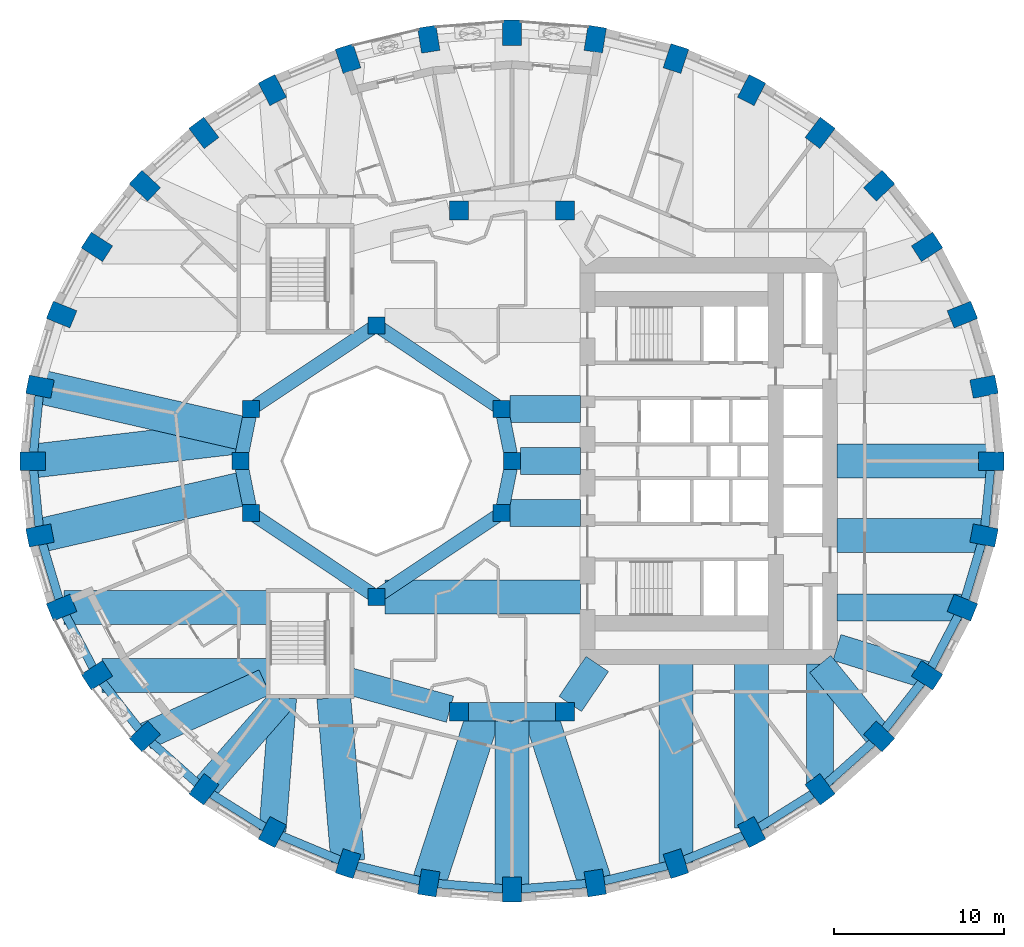
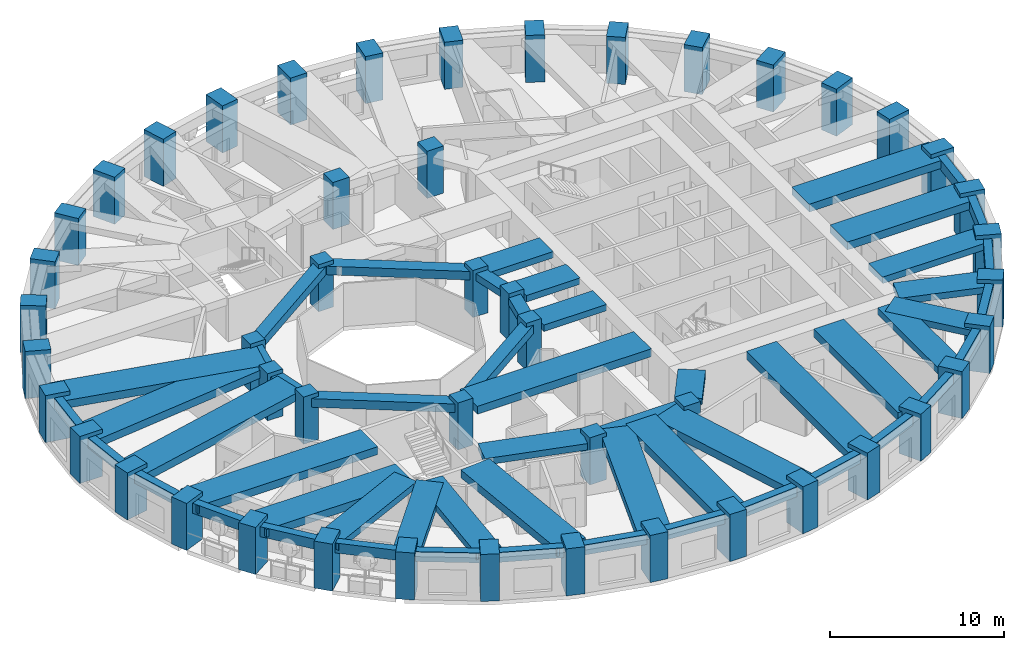
# One storey, part 1 of 13: 54 beams, 48 columns.
"""IFC4 building model written with IfcOpenShell, lengths in metres."""

from ifc_helpers import new_model, si_unit, direction, frame, origin, origin_2d, place, context, subcontext, project, spatial, rectangle, extrude, material, material_profile, profile_set, type_object, element, save


model = new_model("IFC4")

# Units and contexts
model_context = context("Model", 3, precision=1e-05, world=origin(), true_north=direction((0.0, 1.0)))
body_context = subcontext(model_context, "Body", "Model", "MODEL_VIEW")
ifc_project = project(units=[si_unit("LENGTHUNIT", "METRE"), si_unit("AREAUNIT", "SQUARE_METRE"), si_unit("VOLUMEUNIT", "CUBIC_METRE"), si_unit("PLANEANGLEUNIT", "RADIAN"), si_unit("MASSUNIT", "GRAM", prefix="KILO")], contexts=[model_context])

# Site, building, storey
site_placement = place(None, origin())
site = spatial("IfcSite", under=ifc_project, at=site_placement, CompositionType="ELEMENT")
building_placement = place(site_placement, origin())
building = spatial("IfcBuilding", under=site, at=building_placement, Name="Taillehof Tower", CompositionType="ELEMENT")
storey_placement = place(building_placement, frame((0.0, 0.0, 54.699951171875)))
storey = spatial("IfcBuildingStorey", under=building, at=storey_placement, Name="L14", CompositionType="ELEMENT", Elevation=54.699951171875)

# Columns
ifc_material_1 = material(Name="Concrete C50/60", Category="concrete")
ifc_material_profile_1 = material_profile(ifc_material_1, rectangle(XDim=1.0, YDim=1.0, at=origin_2d()), Name="RC 1000x1000")
ifc_profile_set_1 = profile_set([ifc_material_profile_1], Name="Concrete C50/60")
column_type_1 = type_object("IfcColumnType", Name="Atrium ring column C50/60 1000x1000", PredefinedType="COLUMN", material=ifc_profile_set_1)
for number, where, z_axis, x_axis, name in (
    (1, (0.0, 0.0, 0.0), (0.0, 0.0, 1.0), (1.0, 0.0, 0.0), "Column AC01"),
    (2, (-0.60888671875, 3.0615234375, 0.0), (0.0, 0.0, 1.0), (1.0, 0.0, 0.0), "Column AC02"),
    (3, (-8.0, 8.0, 0.0), (0.0, 0.0, 1.0), (1.0, 0.0, 0.0), "Column AC05"),
    (4, (-15.39111328125, 3.0615234375, 0.0), (0.0, 0.0, 1.0), (1.0, 0.0, 0.0), "Column AC08"),
    (5, (-16.0, 0.0, 0.0), (0.0, 0.0, 1.0), (1.0, 0.0, 0.0), "Column AC09"),
    (6, (-15.39111328125, -3.0615234375, 0.0), (0.0, 0.0, 1.0), (1.0, 0.0, 0.0), "Column AC10"),
    (7, (-8.0, -8.0, 0.0), (0.0, 0.0, 1.0), (1.0, 0.0, 0.0), "Column AC13"),
    (8, (-0.60888671875, -3.0615234375, 0.0), (0.0, 0.0, 1.0), (1.0, 0.0, 0.0), "Column AC16"),
):
    element("IfcColumn", number, at=place(storey_placement, frame(where, z_axis=z_axis, x_axis=x_axis)), inside=storey, type_object=column_type_1, Name=name, PredefinedType="COLUMN", context=body_context, shape_type="SweptSolid", body=[
        extrude(rectangle(XDim=1.0, YDim=1.0, at=origin_2d()), origin(), (0.0, 0.0, 1.0), 3.300048828125),
    ])
ifc_material_2 = material(Name="Concrete C60/75", Category="concrete")
ifc_material_profile_2 = material_profile(ifc_material_2, rectangle(XDim=1.10009765625, YDim=1.10009765625, at=origin_2d()), Name="RC 1100x1100")
ifc_profile_set_2 = profile_set([ifc_material_profile_2], Name="Concrete C60/75")
column_type_2 = type_object("IfcColumnType", Name="Mid-ring column C60/75 1100x1100", PredefinedType="COLUMN", material=ifc_profile_set_2)
for number, where, z_axis, x_axis, name in (
    (9, (3.125732421875, 14.772216796875, 0.0), (0.0, 0.0, 1.0), (1.0, 0.0, 0.0), "Column MC05"),
    (10, (3.125732421875, -14.772216796875, 0.0), (0.0, 0.0, 1.0), (1.0, 0.0, 0.0), "Column MC15"),
):
    element("IfcColumn", number, at=place(storey_placement, frame(where, z_axis=z_axis, x_axis=x_axis)), inside=storey, type_object=column_type_2, Name=name, PredefinedType="COLUMN", context=body_context, shape_type="SweptSolid", body=[
        extrude(rectangle(XDim=1.10009765625, YDim=1.10009765625, at=origin_2d()), origin(), (0.0, 0.0, 1.0), 3.300048828125),
    ])
ifc_material_3 = material(Name="Concrete C70/85", Category="concrete")
ifc_material_profile_3 = material_profile(ifc_material_3, rectangle(XDim=1.10009765625, YDim=1.10009765625, at=origin_2d()), Name="RC 1100x1100")
ifc_profile_set_3 = profile_set([ifc_material_profile_3], Name="Concrete C70/85")
column_type_3 = type_object("IfcColumnType", Name="Mid-ring column C70/85 1100x1100", PredefinedType="COLUMN", material=ifc_profile_set_3)
for number, where, z_axis, x_axis, name in (
    (11, (-3.125732421875, 14.772216796875, 0.0), (0.0, 0.0, 1.0), (1.0, 0.0, 0.0), "Column MC06"),
    (12, (-3.125732421875, -14.772216796875, 0.0), (0.0, 0.0, 1.0), (1.0, 0.0, 0.0), "Column MC14"),
):
    element("IfcColumn", number, at=place(storey_placement, frame(where, z_axis=z_axis, x_axis=x_axis)), inside=storey, type_object=column_type_3, Name=name, PredefinedType="COLUMN", context=body_context, shape_type="SweptSolid", body=[
        extrude(rectangle(XDim=1.10009765625, YDim=1.10009765625, at=origin_2d()), origin(), (0.0, 0.0, 1.0), 3.300048828125),
    ])
ifc_material_4 = material(Name="Concrete C70/85", Category="concrete")
ifc_material_profile_4 = material_profile(ifc_material_4, rectangle(XDim=1.5, YDim=1.10009765625, at=origin_2d()), Name="RC 1500x1100")
ifc_profile_set_4 = profile_set([ifc_material_profile_4], Name="Concrete C70/85")
column_type_4 = type_object("IfcColumnType", Name="Ring column C70/85 1500x1100", PredefinedType="COLUMN", material=ifc_profile_set_4)
for number, where, z_axis, x_axis, name in (
    (13, (28.25, 0.0, 0.0), (0.0, 0.0, 1.0), (1.0, 0.0, 0.0), "Ring column RC01"),
    (14, (27.82080078125, 4.384521484375, 0.0), (0.0, 0.0, 1.0), (0.98120354895, 0.192975634545, 0.0), "Ring column RC02"),
    (15, (26.54638671875, 8.635986328125, 0.0), (0.0, 0.0, 1.0), (0.926558045297, 0.37615181602, 0.0), "Ring column RC03"),
    (16, (24.46533203125, 12.625, 0.0), (0.0, 0.0, 1.0), (0.840753565229, 0.541417992456, 0.0), "Ring column RC04"),
    (17, (21.640869140625, 16.23046875, 0.0), (0.0, 0.0, 1.0), (0.730113022917, 0.683326403535, 0.0), "Ring column RC05"),
    (18, (18.15869140625, 19.342529296875, 0.0), (0.0, 0.0, 1.0), (0.601173783055, 0.79911831575, 0.0), "Ring column RC06"),
    (19, (14.125, 21.8671875, 0.0), (0.0, 0.0, 1.0), (0.459691308511, 0.888078769524, 0.0), "Ring column RC07"),
    (20, (9.662109375, 23.727294921875, 0.0), (0.0, 0.0, 1.0), (0.310219183529, 0.950665060981, 0.0), "Ring column RC08"),
    (21, (4.905517578125, 24.866455078125, 0.0), (0.0, 0.0, 1.0), (0.15614709407, 0.987733812833, 0.0), "Ring column RC09"),
    (22, (0.0, 25.25, 0.0), (0.0, 0.0, 1.0), (0.0, 1.0, 0.0), "Ring column RC10"),
    (23, (-4.905517578125, 24.866455078125, 0.0), (0.0, 0.0, 1.0), (-0.15614709407, 0.987733812833, 0.0), "Ring column RC11"),
    (24, (-9.662109375, 23.727294921875, 0.0), (0.0, 0.0, 1.0), (-0.310219183529, 0.950665060981, 0.0), "Ring column RC12"),
    (25, (-14.125, 21.8671875, 0.0), (0.0, 0.0, 1.0), (-0.459691308511, 0.888078769524, 0.0), "Ring column RC13"),
    (26, (-18.15869140625, 19.342529296875, 0.0), (0.0, 0.0, 1.0), (-0.601173783055, 0.79911831575, 0.0), "Ring column RC14"),
    (27, (-21.640869140625, 16.23046875, 0.0), (0.0, 0.0, 1.0), (-0.730113022917, 0.683326403535, 0.0), "Ring column RC15"),
    (28, (-24.46533203125, 12.625, 0.0), (0.0, 0.0, 1.0), (-0.840753565229, 0.541417992456, 0.0), "Ring column RC16"),
    (29, (-26.54638671875, 8.635986328125, 0.0), (0.0, 0.0, 1.0), (-0.926558045297, 0.37615181602, 0.0), "Ring column RC17"),
    (30, (-27.82080078125, 4.384521484375, 0.0), (0.0, 0.0, 1.0), (-0.98120354895, 0.192975634545, 0.0), "Ring column RC18"),
    (31, (-28.25, 0.0, 0.0), (0.0, 0.0, 1.0), (-1.0, 0.0, 0.0), "Ring column RC19"),
    (32, (-27.82080078125, -4.384521484375, 0.0), (0.0, 0.0, 1.0), (-0.98120354895, -0.192975634545, 0.0), "Ring column RC20"),
    (33, (-26.54638671875, -8.635986328125, 0.0), (0.0, 0.0, 1.0), (-0.926558045297, -0.37615181602, 0.0), "Ring column RC21"),
    (34, (-24.46533203125, -12.625, 0.0), (0.0, 0.0, 1.0), (-0.840753565229, -0.541417992456, 0.0), "Ring column RC22"),
    (35, (-21.640869140625, -16.23046875, 0.0), (0.0, 0.0, 1.0), (-0.730113022917, -0.683326403535, 0.0), "Ring column RC23"),
    (36, (-18.15869140625, -19.342529296875, 0.0), (0.0, 0.0, 1.0), (-0.601173783055, -0.79911831575, 0.0), "Ring column RC24"),
    (37, (-14.125, -21.8671875, 0.0), (0.0, 0.0, 1.0), (-0.459691308511, -0.888078769524, 0.0), "Ring column RC25"),
    (38, (-9.662109375, -23.727294921875, 0.0), (0.0, 0.0, 1.0), (-0.310219183529, -0.950665060981, 0.0), "Ring column RC26"),
    (39, (-4.905517578125, -24.866455078125, 0.0), (0.0, 0.0, 1.0), (-0.15614709407, -0.987733812833, 0.0), "Ring column RC27"),
    (40, (0.0, -25.25, 0.0), (0.0, 0.0, 1.0), (0.0, -1.0, 0.0), "Ring column RC28"),
    (41, (4.905517578125, -24.866455078125, 0.0), (0.0, 0.0, 1.0), (0.15614709407, -0.987733812833, 0.0), "Ring column RC29"),
    (42, (9.662109375, -23.727294921875, 0.0), (0.0, 0.0, 1.0), (0.310219183529, -0.950665060981, 0.0), "Ring column RC30"),
    (43, (14.125, -21.8671875, 0.0), (0.0, 0.0, 1.0), (0.459691308511, -0.888078769524, 0.0), "Ring column RC31"),
    (44, (18.15869140625, -19.342529296875, 0.0), (0.0, 0.0, 1.0), (0.601173783055, -0.79911831575, 0.0), "Ring column RC32"),
    (45, (21.640869140625, -16.23046875, 0.0), (0.0, 0.0, 1.0), (0.730113022917, -0.683326403535, 0.0), "Ring column RC33"),
    (46, (24.46533203125, -12.625, 0.0), (0.0, 0.0, 1.0), (0.840753565229, -0.541417992456, 0.0), "Ring column RC34"),
    (47, (26.54638671875, -8.635986328125, 0.0), (0.0, 0.0, 1.0), (0.926558045297, -0.37615181602, 0.0), "Ring column RC35"),
    (48, (27.82080078125, -4.384521484375, 0.0), (0.0, 0.0, 1.0), (0.98120354895, -0.192975634545, 0.0), "Ring column RC36"),
):
    element("IfcColumn", number, at=place(storey_placement, frame(where, z_axis=z_axis, x_axis=x_axis)), inside=storey, type_object=column_type_4, Name=name, PredefinedType="COLUMN", context=body_context, shape_type="SweptSolid", body=[
        extrude(rectangle(XDim=1.5, YDim=1.10009765625, at=origin_2d()), origin(), (0.0, 0.0, 1.0), 3.300048828125),
    ])

# Beams
ifc_material_5 = material(Name="Concrete C50/60", Category="concrete")
ifc_material_profile_5 = material_profile(ifc_material_5, rectangle(XDim=0.800048828125, YDim=0.5, at=origin_2d()), Name="RC 800x500")
ifc_profile_set_5 = profile_set([ifc_material_profile_5], Name="Concrete C50/60")
beam_type_1 = type_object("IfcBeamType", Name="Atrium ring beam C50/60 800x500", PredefinedType="BEAM", material=ifc_profile_set_5)
for number, where, z_axis, x_axis, name in (
    (49, (0.0, 0.0, 2.77001953125), (-0.195063155143, 0.980790683839, 0.0), (-0.980790683839, -0.195063155143, 0.0), "Atrium ring beam AB01"),
    (50, (-15.39111328125, 3.0615234375, 2.77001953125), (-0.195063155143, -0.980790683839, 0.0), (0.980790683839, -0.195063155143, 0.0), "Atrium ring beam AB04"),
    (51, (-16.0, 0.0, 2.77001953125), (0.195063155143, -0.980790683839, 0.0), (0.980790683839, 0.195063155143, 0.0), "Atrium ring beam AB05"),
    (52, (-0.60888671875, -3.0615234375, 2.77001953125), (0.195063155143, 0.980790683839, 0.0), (-0.980790683839, 0.195063155143, 0.0), "Atrium ring beam AB08"),
):
    element("IfcBeam", number, at=place(storey_placement, frame(where, z_axis=z_axis, x_axis=x_axis)), inside=storey, type_object=beam_type_1, Name=name, PredefinedType="BEAM", context=body_context, shape_type="SweptSolid", body=[
        extrude(rectangle(XDim=0.800048828125, YDim=0.5, at=origin_2d()), origin(), (0.0, 0.0, 1.0), 3.12158203125),
    ])
ifc_material_6 = material(Name="Concrete C50/60", Category="concrete")
ifc_material_profile_6 = material_profile(ifc_material_6, rectangle(XDim=0.800048828125, YDim=0.60009765625, at=origin_2d()), Name="RC 800x600")
ifc_profile_set_6 = profile_set([ifc_material_profile_6], Name="Concrete C50/60")
beam_type_2 = type_object("IfcBeamType", Name="Atrium ring beam C50/60 800x600", PredefinedType="BEAM", material=ifc_profile_set_6)
for number, where, z_axis, x_axis, name in (
    (53, (-0.60888671875, 3.0615234375, 2.719970703125), (-0.831475195687, 0.555561876804, 0.0), (-0.555561876804, -0.831475195687, 0.0), "Atrium ring beam AB02"),
    (54, (-8.0, 8.0, 2.719970703125), (-0.831475195687, -0.555561876804, 0.0), (0.555561876804, -0.831475195687, 0.0), "Atrium ring beam AB03"),
    (55, (-15.39111328125, -3.0615234375, 2.719970703125), (0.831475195687, -0.555561876804, 0.0), (0.555561876804, 0.831475195687, 0.0), "Atrium ring beam AB06"),
    (56, (-8.0, -8.0, 2.719970703125), (0.831475195687, 0.555561876804, 0.0), (-0.555561876804, 0.831475195687, 0.0), "Atrium ring beam AB07"),
):
    element("IfcBeam", number, at=place(storey_placement, frame(where, z_axis=z_axis, x_axis=x_axis)), inside=storey, type_object=beam_type_2, Name=name, PredefinedType="BEAM", context=body_context, shape_type="SweptSolid", body=[
        extrude(rectangle(XDim=0.800048828125, YDim=0.60009765625, at=origin_2d()), origin(), (0.0, 0.0, 1.0), 8.88916015625),
    ])
ifc_material_7 = material(Name="Concrete C50/60", Category="concrete")
ifc_material_profile_7 = material_profile(ifc_material_7, rectangle(XDim=1.10009765625, YDim=0.60009765625, at=origin_2d()), Name="RC 1100x600")
ifc_profile_set_7 = profile_set([ifc_material_profile_7], Name="Concrete C50/60")
beam_type_3 = type_object("IfcBeamType", Name="Mid-ring beam C50/60 1100x600", PredefinedType="BEAM", material=ifc_profile_set_7)
beam_1_placement = place(storey_placement, frame((-3.125732421875, -14.772216796875, 2.719970703125), z_axis=(1.0, 0.0, 0.0), x_axis=(0.0, 1.0, 0.0)))
element("IfcBeam", 57, at=beam_1_placement, inside=storey, type_object=beam_type_3, Name="Mid-ring beam MB02", PredefinedType="BEAM", context=body_context, shape_type="SweptSolid", body=[
    extrude(rectangle(XDim=1.10009765625, YDim=0.60009765625, at=origin_2d()), origin(), (0.0, 0.0, 1.0), 6.25146484375),
])
ifc_material_8 = material(Name="Concrete C50/60", Category="concrete")
ifc_material_profile_8 = material_profile(ifc_material_8, rectangle(XDim=1.60009765625, YDim=0.449951171875, at=origin_2d()), Name="RC 1600x450")
ifc_profile_set_8 = profile_set([ifc_material_profile_8], Name="Concrete C50/60")
beam_type_4 = type_object("IfcBeamType", Name="Radial band beam C50/60 1600x450", PredefinedType="BEAM", material=ifc_profile_set_8)
beam_2_placement = place(storey_placement, frame((-21.632568359375, -16.226806640625, 2.795166015625), z_axis=(0.911100590789, 0.412184077161, 0.0), x_axis=(-0.412184077161, 0.911100590789, 0.0)))
element("IfcBeam", 58, at=beam_2_placement, inside=storey, type_object=beam_type_4, Name="Radial band beam RB23", PredefinedType="BEAM", context=body_context, shape_type="SweptSolid", body=[
    extrude(rectangle(XDim=1.60009765625, YDim=0.449951171875, at=origin_2d()), origin(), (0.0, 0.0, 1.0), 7.740966796875),
])
beam_3_placement = place(storey_placement, frame((-18.15869140625, -19.342529296875, 2.795166015625), z_axis=(0.65721824087, 0.753700327628, 0.0), x_axis=(-0.753700327628, 0.65721824087, 0.0)))
element("IfcBeam", 59, at=beam_3_placement, inside=storey, type_object=beam_type_4, Name="Radial band beam RB24", PredefinedType="BEAM", context=body_context, shape_type="SweptSolid", body=[
    extrude(rectangle(XDim=1.60009765625, YDim=0.449951171875, at=origin_2d()), origin(), (0.0, 0.0, 1.0), 6.9384765625),
])
beam_4_placement = place(storey_placement, frame((-14.119873046875, -21.802978515625, 2.795166015625), z_axis=(0.079184740988, 0.996859958467, 0.0), x_axis=(-0.996859958467, 0.079184740988, 0.0)))
element("IfcBeam", 60, at=beam_4_placement, inside=storey, type_object=beam_type_4, Name="Radial band beam RB25", PredefinedType="BEAM", context=body_context, shape_type="SweptSolid", body=[
    extrude(rectangle(XDim=1.60009765625, YDim=0.449951171875, at=origin_2d()), origin(), (0.0, 0.0, 1.0), 7.87744140625),
])
beam_5_placement = place(storey_placement, frame((18.15869140625, -19.05517578125, 2.795166015625), z_axis=(0.0, 1.0, 0.0), x_axis=(-1.0, 0.0, 0.0)))
element("IfcBeam", 61, at=beam_5_placement, inside=storey, type_object=beam_type_4, Name="Radial band beam RB32", PredefinedType="BEAM", context=body_context, shape_type="SweptSolid", body=[
    extrude(rectangle(XDim=1.60009765625, YDim=0.449951171875, at=origin_2d()), origin(), (0.0, 0.0, 1.0), 7.105224609375),
])
beam_6_placement = place(storey_placement, frame((21.640869140625, -16.23046875, 2.795166015625), z_axis=(-0.630988373846, 0.775792286679, 0.0), x_axis=(-0.775792286679, -0.630988373846, 0.0)))
element("IfcBeam", 62, at=beam_6_placement, inside=storey, type_object=beam_type_4, Name="Radial band beam RB33", PredefinedType="BEAM", context=body_context, shape_type="SweptSolid", body=[
    extrude(rectangle(XDim=1.60009765625, YDim=0.449951171875, at=origin_2d()), origin(), (0.0, 0.0, 1.0), 5.503173828125),
])
beam_7_placement = place(storey_placement, frame((24.46533203125, -12.625, 2.795166015625), z_axis=(-0.955535654338, 0.294875589511, 0.0), x_axis=(-0.294875589511, -0.955535654338, 0.0)))
element("IfcBeam", 63, at=beam_7_placement, inside=storey, type_object=beam_type_4, Name="Radial band beam RB34", PredefinedType="BEAM", context=body_context, shape_type="SweptSolid", body=[
    extrude(rectangle(XDim=1.60009765625, YDim=0.449951171875, at=origin_2d()), origin(), (0.0, 0.0, 1.0), 5.560546875),
])
beam_8_placement = place(storey_placement, frame((26.490478515625, -8.635986328125, 2.795166015625), z_axis=(-1.0, 0.0, 0.0), x_axis=(0.0, -1.0, 0.0)))
element("IfcBeam", 64, at=beam_8_placement, inside=storey, type_object=beam_type_4, Name="Radial band beam RB35", PredefinedType="BEAM", context=body_context, shape_type="SweptSolid", body=[
    extrude(rectangle(XDim=1.60009765625, YDim=0.449951171875, at=origin_2d()), origin(), (0.0, 0.0, 1.0), 7.340576171875),
])
beam_9_placement = place(storey_placement, frame((0.5, 0.0, 2.795166015625), z_axis=(1.0, 0.0, 0.0), x_axis=(0.0, 1.0, 0.0)))
element("IfcBeam", 65, at=beam_9_placement, inside=storey, type_object=beam_type_4, Name="Inner band beam IB101", PredefinedType="BEAM", context=body_context, shape_type="SweptSolid", body=[
    extrude(rectangle(XDim=1.60009765625, YDim=0.449951171875, at=origin_2d()), origin(), (0.0, 0.0, 1.0), 3.550048828125),
])
for number, where, z_axis, x_axis, name in (
    (66, (-0.10888671875, 3.0615234375, 2.795166015625), (1.0, 0.0, 0.0), (0.0, 1.0, 0.0), "Inner band beam IB102"),
    (67, (-0.10888671875, -3.0615234375, 2.795166015625), (1.0, 0.0, 0.0), (0.0, 1.0, 0.0), "Inner band beam IB116"),
):
    element("IfcBeam", number, at=place(storey_placement, frame(where, z_axis=z_axis, x_axis=x_axis)), inside=storey, type_object=beam_type_4, Name=name, PredefinedType="BEAM", context=body_context, shape_type="SweptSolid", body=[
        extrude(rectangle(XDim=1.60009765625, YDim=0.449951171875, at=origin_2d()), origin(), (0.0, 0.0, 1.0), 4.158935546875),
    ])
beam_10_placement = place(storey_placement, frame((-3.655517578125, -14.624755859375, 2.795166015625), z_axis=(-0.963459369536, 0.267854518821, 0.0), x_axis=(-0.267854518821, -0.963459369536, 0.0)))
element("IfcBeam", 68, at=beam_10_placement, inside=storey, type_object=beam_type_4, Name="Inner band beam IB214", PredefinedType="BEAM", context=body_context, shape_type="SweptSolid", body=[
    extrude(rectangle(XDim=1.60009765625, YDim=0.449951171875, at=origin_2d()), origin(), (0.0, 0.0, 1.0), 6.096923828125),
])
beam_11_placement = place(storey_placement, frame((3.433837890625, -14.31640625, 2.795166015625), z_axis=(0.560112043398, 0.828416862962, 0.0), x_axis=(-0.828416862962, 0.560112043398, 0.0)))
element("IfcBeam", 69, at=beam_11_placement, inside=storey, type_object=beam_type_4, Name="Inner band beam IB215", PredefinedType="BEAM", context=body_context, shape_type="SweptSolid", body=[
    extrude(rectangle(XDim=1.60009765625, YDim=0.449951171875, at=origin_2d()), origin(), (0.0, 0.0, 1.0), 2.84619140625),
])
ifc_material_9 = material(Name="Concrete C50/60", Category="concrete")
ifc_material_profile_9 = material_profile(ifc_material_9, rectangle(XDim=2.0, YDim=0.550048828125, at=origin_2d()), Name="RC 2000x550")
ifc_profile_set_9 = profile_set([ifc_material_profile_9], Name="Concrete C50/60")
beam_type_5 = type_object("IfcBeamType", Name="Radial band beam C50/60 2000x550", PredefinedType="BEAM", material=ifc_profile_set_9)
beam_12_placement = place(storey_placement, frame((28.25, 0.0, 2.7451171875), z_axis=(-1.0, 0.0, 0.0), x_axis=(0.0, -1.0, 0.0)))
element("IfcBeam", 70, at=beam_12_placement, inside=storey, type_object=beam_type_5, Name="Radial band beam RB01", PredefinedType="BEAM", context=body_context, shape_type="SweptSolid", body=[
    extrude(rectangle(XDim=2.0, YDim=0.550048828125, at=origin_2d()), origin(), (0.0, 0.0, 1.0), 9.10009765625),
])
beam_13_placement = place(storey_placement, frame((-27.82080078125, 4.384521484375, 2.7451171875), z_axis=(0.974509005862, -0.2243483842, 0.0), x_axis=(0.2243483842, 0.974509005862, 0.0)))
element("IfcBeam", 71, at=beam_13_placement, inside=storey, type_object=beam_type_5, Name="Radial band beam RB18", PredefinedType="BEAM", context=body_context, shape_type="SweptSolid", body=[
    extrude(rectangle(XDim=2.0, YDim=0.550048828125, at=origin_2d()), origin(), (0.0, 0.0, 1.0), 12.45458984375),
])
beam_14_placement = place(storey_placement, frame((-28.25, 0.0, 2.7451171875), z_axis=(0.993191188018, 0.11649576835, 0.0), x_axis=(-0.11649576835, 0.993191188018, 0.0)))
element("IfcBeam", 72, at=beam_14_placement, inside=storey, type_object=beam_type_5, Name="Radial band beam RB19", PredefinedType="BEAM", context=body_context, shape_type="SweptSolid", body=[
    extrude(rectangle(XDim=2.0, YDim=0.550048828125, at=origin_2d()), origin(), (0.0, 0.0, 1.0), 12.628662109375),
])
beam_15_placement = place(storey_placement, frame((-27.82080078125, -4.384521484375, 2.7451171875), z_axis=(0.974509005862, 0.2243483842, 0.0), x_axis=(-0.2243483842, 0.974509005862, 0.0)))
element("IfcBeam", 73, at=beam_15_placement, inside=storey, type_object=beam_type_5, Name="Radial band beam RB20", PredefinedType="BEAM", context=body_context, shape_type="SweptSolid", body=[
    extrude(rectangle(XDim=2.0, YDim=0.550048828125, at=origin_2d()), origin(), (0.0, 0.0, 1.0), 12.45458984375),
])
beam_16_placement = place(storey_placement, frame((-26.408935546875, -8.635986328125, 2.7451171875), z_axis=(1.0, 0.0, 0.0), x_axis=(0.0, 1.0, 0.0)))
element("IfcBeam", 74, at=beam_16_placement, inside=storey, type_object=beam_type_5, Name="Radial band beam RB21", PredefinedType="BEAM", context=body_context, shape_type="SweptSolid", body=[
    extrude(rectangle(XDim=2.0, YDim=0.550048828125, at=origin_2d()), origin(), (0.0, 0.0, 1.0), 11.958984375),
])
beam_17_placement = place(storey_placement, frame((-24.172607421875, -12.625, 2.7451171875), z_axis=(1.0, 0.0, 0.0), x_axis=(0.0, 1.0, 0.0)))
element("IfcBeam", 75, at=beam_17_placement, inside=storey, type_object=beam_type_5, Name="Radial band beam RB22", PredefinedType="BEAM", context=body_context, shape_type="SweptSolid", body=[
    extrude(rectangle(XDim=2.0, YDim=0.550048828125, at=origin_2d()), origin(), (0.0, 0.0, 1.0), 9.72265625),
])
beam_18_placement = place(storey_placement, frame((-9.675048828125, -23.575927734375, 2.7451171875), z_axis=(-0.085841202752, 0.996308831593, 0.0), x_axis=(-0.996308831593, -0.085841202752, 0.0)))
element("IfcBeam", 76, at=beam_18_placement, inside=storey, type_object=beam_type_5, Name="Radial band beam RB26", PredefinedType="BEAM", context=body_context, shape_type="SweptSolid", body=[
    extrude(rectangle(XDim=2.0, YDim=0.550048828125, at=origin_2d()), origin(), (0.0, 0.0, 1.0), 9.661376953125),
])
beam_19_placement = place(storey_placement, frame((-4.905517578125, -24.866455078125, 2.7451171875), z_axis=(0.309014294595, 0.951057393503, 0.0), x_axis=(-0.951057393503, 0.309014294595, 0.0)))
element("IfcBeam", 77, at=beam_19_placement, inside=storey, type_object=beam_type_5, Name="Radial band beam RB27", PredefinedType="BEAM", context=body_context, shape_type="SweptSolid", body=[
    extrude(rectangle(XDim=2.0, YDim=0.550048828125, at=origin_2d()), origin(), (0.0, 0.0, 1.0), 10.61376953125),
])
beam_20_placement = place(storey_placement, frame((0.0, -25.25, 2.7451171875), z_axis=(0.0, 1.0, 0.0), x_axis=(-1.0, 0.0, 0.0)))
element("IfcBeam", 78, at=beam_20_placement, inside=storey, type_object=beam_type_5, Name="Radial band beam RB28", PredefinedType="BEAM", context=body_context, shape_type="SweptSolid", body=[
    extrude(rectangle(XDim=2.0, YDim=0.550048828125, at=origin_2d()), origin(), (0.0, 0.0, 1.0), 10.477783203125),
])
beam_21_placement = place(storey_placement, frame((4.905517578125, -24.866455078125, 2.7451171875), z_axis=(-0.309014294595, 0.951057393503, 0.0), x_axis=(-0.951057393503, -0.309014294595, 0.0)))
element("IfcBeam", 79, at=beam_21_placement, inside=storey, type_object=beam_type_5, Name="Radial band beam RB29", PredefinedType="BEAM", context=body_context, shape_type="SweptSolid", body=[
    extrude(rectangle(XDim=2.0, YDim=0.550048828125, at=origin_2d()), origin(), (0.0, 0.0, 1.0), 10.61376953125),
])
beam_22_placement = place(storey_placement, frame((9.662109375, -23.664794921875, 2.7451171875), z_axis=(0.0, 1.0, 0.0), x_axis=(-1.0, 0.0, 0.0)))
element("IfcBeam", 80, at=beam_22_placement, inside=storey, type_object=beam_type_5, Name="Radial band beam RB30", PredefinedType="BEAM", context=body_context, shape_type="SweptSolid", body=[
    extrude(rectangle(XDim=2.0, YDim=0.550048828125, at=origin_2d()), origin(), (0.0, 0.0, 1.0), 11.71484375),
])
beam_23_placement = place(storey_placement, frame((14.125, -21.63232421875, 2.7451171875), z_axis=(0.0, 1.0, 0.0), x_axis=(-1.0, 0.0, 0.0)))
element("IfcBeam", 81, at=beam_23_placement, inside=storey, type_object=beam_type_5, Name="Radial band beam RB31", PredefinedType="BEAM", context=body_context, shape_type="SweptSolid", body=[
    extrude(rectangle(XDim=2.0, YDim=0.550048828125, at=origin_2d()), origin(), (0.0, 0.0, 1.0), 9.682373046875),
])
beam_24_placement = place(storey_placement, frame((27.82080078125, -4.384521484375, 2.7451171875), z_axis=(-1.0, 0.0, 0.0), x_axis=(0.0, -1.0, 0.0)))
element("IfcBeam", 82, at=beam_24_placement, inside=storey, type_object=beam_type_5, Name="Radial band beam RB36", PredefinedType="BEAM", context=body_context, shape_type="SweptSolid", body=[
    extrude(rectangle(XDim=2.0, YDim=0.550048828125, at=origin_2d()), origin(), (0.0, 0.0, 1.0), 8.6708984375),
])
beam_25_placement = place(storey_placement, frame((-7.5, -8.0, 2.7451171875), z_axis=(1.0, 0.0, 0.0), x_axis=(0.0, 1.0, 0.0)))
element("IfcBeam", 83, at=beam_25_placement, inside=storey, type_object=beam_type_5, Name="Inner band beam IB113", PredefinedType="BEAM", context=body_context, shape_type="SweptSolid", body=[
    extrude(rectangle(XDim=2.0, YDim=0.550048828125, at=origin_2d()), origin(), (0.0, 0.0, 1.0), 11.550048828125),
])
ifc_material_10 = material(Name="Concrete C50/60", Category="concrete")
ifc_material_profile_10 = material_profile(ifc_material_10, rectangle(XDim=0.5, YDim=0.699951171875, at=origin_2d()), Name="RC 500x700")
ifc_profile_set_10 = profile_set([ifc_material_profile_10], Name="Concrete C50/60")
beam_type_6 = type_object("IfcBeamType", Name="Spandrel beam C50/60 500x700", PredefinedType="SPANDREL", material=ifc_profile_set_10)
for number, where, z_axis, x_axis, name in (
    (84, (-27.82080078125, 4.384521484375, 2.670166015625), (-0.097423973567, -0.99524297002, 0.0), (0.99524297002, -0.097423973567, 0.0), "Spandrel beam SB18"),
    (85, (-28.25, 0.0, 2.670166015625), (0.097423973567, -0.99524297002, 0.0), (0.99524297002, 0.097423973567, 0.0), "Spandrel beam SB19"),
):
    element("IfcBeam", number, at=place(storey_placement, frame(where, z_axis=z_axis, x_axis=x_axis)), inside=storey, type_object=beam_type_6, Name=name, PredefinedType="SPANDREL", context=body_context, shape_type="SweptSolid", body=[
        extrude(rectangle(XDim=0.5, YDim=0.699951171875, at=origin_2d()), origin(), (0.0, 0.0, 1.0), 4.405517578125),
    ])
beam_26_placement = place(storey_placement, frame((-27.82080078125, -4.384521484375, 2.670166015625), z_axis=(0.287135925407, -0.957889847707, 0.0), x_axis=(0.957889847707, 0.287135925407, 0.0)))
element("IfcBeam", 86, at=beam_26_placement, inside=storey, type_object=beam_type_6, Name="Spandrel beam SB20", PredefinedType="SPANDREL", context=body_context, shape_type="SweptSolid", body=[
    extrude(rectangle(XDim=0.5, YDim=0.699951171875, at=origin_2d()), origin(), (0.0, 0.0, 1.0), 4.4384765625),
])
beam_27_placement = place(storey_placement, frame((-26.54638671875, -8.635986328125, 2.670166015625), z_axis=(0.462536335232, -0.886600326297, 0.0), x_axis=(0.886600326297, 0.462536335232, 0.0)))
element("IfcBeam", 87, at=beam_27_placement, inside=storey, type_object=beam_type_6, Name="Spandrel beam SB21", PredefinedType="SPANDREL", context=body_context, shape_type="SweptSolid", body=[
    extrude(rectangle(XDim=0.5, YDim=0.699951171875, at=origin_2d()), origin(), (0.0, 0.0, 1.0), 4.499267578125),
])
beam_28_placement = place(storey_placement, frame((-24.46533203125, -12.625, 2.670166015625), z_axis=(0.616686200373, -0.787209076593, 0.0), x_axis=(0.787209076593, 0.616686200373, 0.0)))
element("IfcBeam", 88, at=beam_28_placement, inside=storey, type_object=beam_type_6, Name="Spandrel beam SB22", PredefinedType="SPANDREL", context=body_context, shape_type="SweptSolid", body=[
    extrude(rectangle(XDim=0.5, YDim=0.699951171875, at=origin_2d()), origin(), (0.0, 0.0, 1.0), 4.580078125),
])
beam_29_placement = place(storey_placement, frame((-21.640869140625, -16.23046875, 2.670166015625), z_axis=(0.745621283614, -0.666369943366, 0.0), x_axis=(0.666369943366, 0.745621283614, 0.0)))
element("IfcBeam", 89, at=beam_29_placement, inside=storey, type_object=beam_type_6, Name="Spandrel beam SB23", PredefinedType="SPANDREL", context=body_context, shape_type="SweptSolid", body=[
    extrude(rectangle(XDim=0.5, YDim=0.699951171875, at=origin_2d()), origin(), (0.0, 0.0, 1.0), 4.670166015625),
])
beam_30_placement = place(storey_placement, frame((-18.15869140625, -19.342529296875, 2.670166015625), z_axis=(0.847658018883, -0.530543007703, 0.0), x_axis=(0.530543007703, 0.847658018883, 0.0)))
element("IfcBeam", 90, at=beam_30_placement, inside=storey, type_object=beam_type_6, Name="Spandrel beam SB24", PredefinedType="SPANDREL", context=body_context, shape_type="SweptSolid", body=[
    extrude(rectangle(XDim=0.5, YDim=0.699951171875, at=origin_2d()), origin(), (0.0, 0.0, 1.0), 4.758544921875),
])
beam_31_placement = place(storey_placement, frame((-14.125, -21.8671875, 2.670166015625), z_axis=(0.923035088053, -0.384715773297, 0.0), x_axis=(0.384715773297, 0.923035088053, 0.0)))
element("IfcBeam", 91, at=beam_31_placement, inside=storey, type_object=beam_type_6, Name="Spandrel beam SB25", PredefinedType="SPANDREL", context=body_context, shape_type="SweptSolid", body=[
    extrude(rectangle(XDim=0.5, YDim=0.699951171875, at=origin_2d()), origin(), (0.0, 0.0, 1.0), 4.8349609375),
])
beam_32_placement = place(storey_placement, frame((-9.662109375, -23.727294921875, 2.670166015625), z_axis=(0.9724995553, -0.232904733616, 0.0), x_axis=(0.232904733616, 0.9724995553, 0.0)))
element("IfcBeam", 92, at=beam_32_placement, inside=storey, type_object=beam_type_6, Name="Spandrel beam SB26", PredefinedType="SPANDREL", context=body_context, shape_type="SweptSolid", body=[
    extrude(rectangle(XDim=0.5, YDim=0.699951171875, at=origin_2d()), origin(), (0.0, 0.0, 1.0), 4.89111328125),
])
for number, where, z_axis, x_axis, name in (
    (93, (-4.905517578125, -24.866455078125, 2.670166015625), (0.996957383661, -0.077948541767, 0.0), (0.077948541767, 0.996957383661, 0.0), "Spandrel beam SB27"),
    (94, (0.0, -25.25, 2.670166015625), (0.996957383661, 0.077948541767, 0.0), (-0.077948541767, 0.996957383661, 0.0), "Spandrel beam SB28"),
):
    element("IfcBeam", number, at=place(storey_placement, frame(where, z_axis=z_axis, x_axis=x_axis)), inside=storey, type_object=beam_type_6, Name=name, PredefinedType="SPANDREL", context=body_context, shape_type="SweptSolid", body=[
        extrude(rectangle(XDim=0.5, YDim=0.699951171875, at=origin_2d()), origin(), (0.0, 0.0, 1.0), 4.92041015625),
    ])
beam_33_placement = place(storey_placement, frame((4.905517578125, -24.866455078125, 2.670166015625), z_axis=(0.9724995553, 0.232904733616, 0.0), x_axis=(-0.232904733616, 0.9724995553, 0.0)))
element("IfcBeam", 95, at=beam_33_placement, inside=storey, type_object=beam_type_6, Name="Spandrel beam SB29", PredefinedType="SPANDREL", context=body_context, shape_type="SweptSolid", body=[
    extrude(rectangle(XDim=0.5, YDim=0.699951171875, at=origin_2d()), origin(), (0.0, 0.0, 1.0), 4.89111328125),
])
beam_34_placement = place(storey_placement, frame((9.662109375, -23.727294921875, 2.670166015625), z_axis=(0.923035088053, 0.384715773297, 0.0), x_axis=(-0.384715773297, 0.923035088053, 0.0)))
element("IfcBeam", 96, at=beam_34_placement, inside=storey, type_object=beam_type_6, Name="Spandrel beam SB30", PredefinedType="SPANDREL", context=body_context, shape_type="SweptSolid", body=[
    extrude(rectangle(XDim=0.5, YDim=0.699951171875, at=origin_2d()), origin(), (0.0, 0.0, 1.0), 4.8349609375),
])
beam_35_placement = place(storey_placement, frame((14.125, -21.8671875, 2.670166015625), z_axis=(0.847658018883, 0.530543007703, 0.0), x_axis=(-0.530543007703, 0.847658018883, 0.0)))
element("IfcBeam", 97, at=beam_35_placement, inside=storey, type_object=beam_type_6, Name="Spandrel beam SB31", PredefinedType="SPANDREL", context=body_context, shape_type="SweptSolid", body=[
    extrude(rectangle(XDim=0.5, YDim=0.699951171875, at=origin_2d()), origin(), (0.0, 0.0, 1.0), 4.758544921875),
])
beam_36_placement = place(storey_placement, frame((18.15869140625, -19.342529296875, 2.670166015625), z_axis=(0.745621283614, 0.666369943366, 0.0), x_axis=(-0.666369943366, 0.745621283614, 0.0)))
element("IfcBeam", 98, at=beam_36_placement, inside=storey, type_object=beam_type_6, Name="Spandrel beam SB32", PredefinedType="SPANDREL", context=body_context, shape_type="SweptSolid", body=[
    extrude(rectangle(XDim=0.5, YDim=0.699951171875, at=origin_2d()), origin(), (0.0, 0.0, 1.0), 4.670166015625),
])
beam_37_placement = place(storey_placement, frame((21.640869140625, -16.23046875, 2.670166015625), z_axis=(0.616686200373, 0.787209076593, 0.0), x_axis=(-0.787209076593, 0.616686200373, 0.0)))
element("IfcBeam", 99, at=beam_37_placement, inside=storey, type_object=beam_type_6, Name="Spandrel beam SB33", PredefinedType="SPANDREL", context=body_context, shape_type="SweptSolid", body=[
    extrude(rectangle(XDim=0.5, YDim=0.699951171875, at=origin_2d()), origin(), (0.0, 0.0, 1.0), 4.580078125),
])
beam_38_placement = place(storey_placement, frame((24.46533203125, -12.625, 2.670166015625), z_axis=(0.462536335232, 0.886600326297, 0.0), x_axis=(-0.886600326297, 0.462536335232, 0.0)))
element("IfcBeam", 100, at=beam_38_placement, inside=storey, type_object=beam_type_6, Name="Spandrel beam SB34", PredefinedType="SPANDREL", context=body_context, shape_type="SweptSolid", body=[
    extrude(rectangle(XDim=0.5, YDim=0.699951171875, at=origin_2d()), origin(), (0.0, 0.0, 1.0), 4.499267578125),
])
beam_39_placement = place(storey_placement, frame((26.54638671875, -8.635986328125, 2.670166015625), z_axis=(0.287135925407, 0.957889847707, 0.0), x_axis=(-0.957889847707, 0.287135925407, 0.0)))
element("IfcBeam", 101, at=beam_39_placement, inside=storey, type_object=beam_type_6, Name="Spandrel beam SB35", PredefinedType="SPANDREL", context=body_context, shape_type="SweptSolid", body=[
    extrude(rectangle(XDim=0.5, YDim=0.699951171875, at=origin_2d()), origin(), (0.0, 0.0, 1.0), 4.4384765625),
])
beam_40_placement = place(storey_placement, frame((27.82080078125, -4.384521484375, 2.670166015625), z_axis=(0.097423973567, 0.99524297002, 0.0), x_axis=(-0.99524297002, 0.097423973567, 0.0)))
element("IfcBeam", 102, at=beam_40_placement, inside=storey, type_object=beam_type_6, Name="Spandrel beam SB36", PredefinedType="SPANDREL", context=body_context, shape_type="SweptSolid", body=[
    extrude(rectangle(XDim=0.5, YDim=0.699951171875, at=origin_2d()), origin(), (0.0, 0.0, 1.0), 4.405517578125),
])

save(model, "model.ifc")
